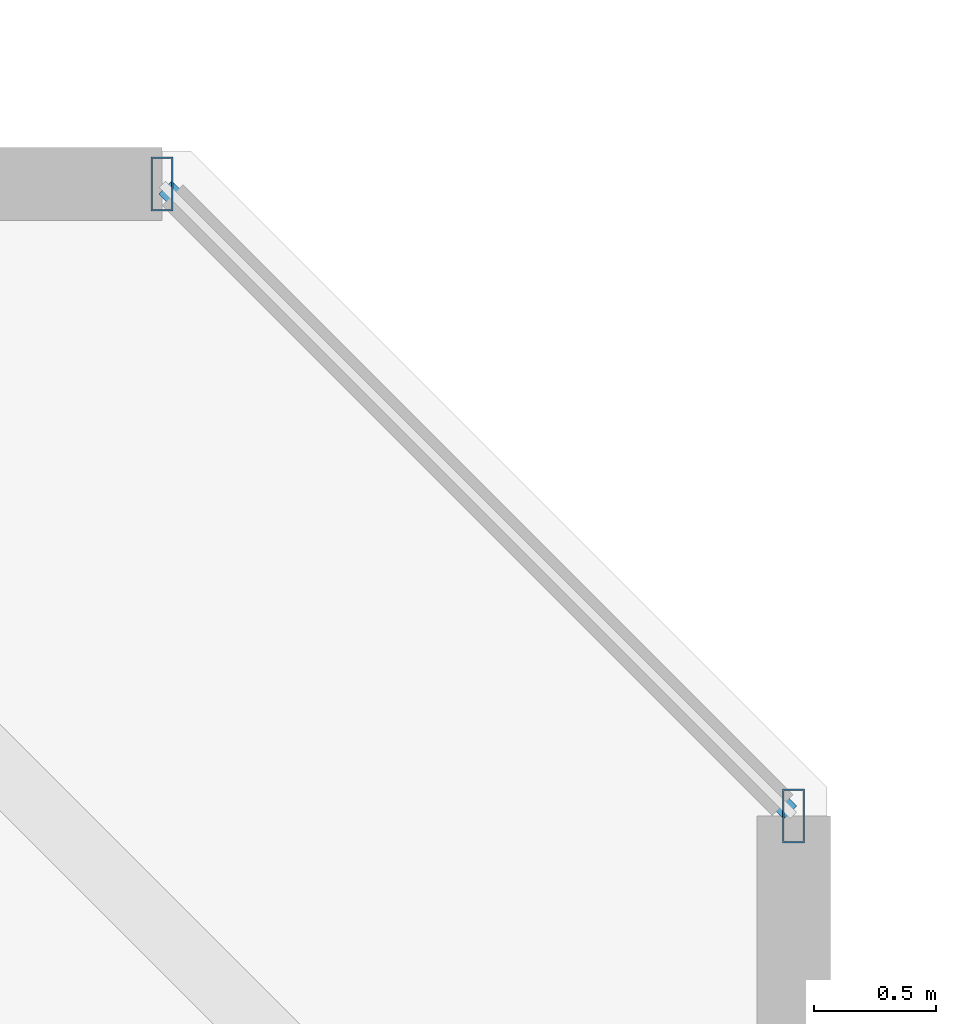
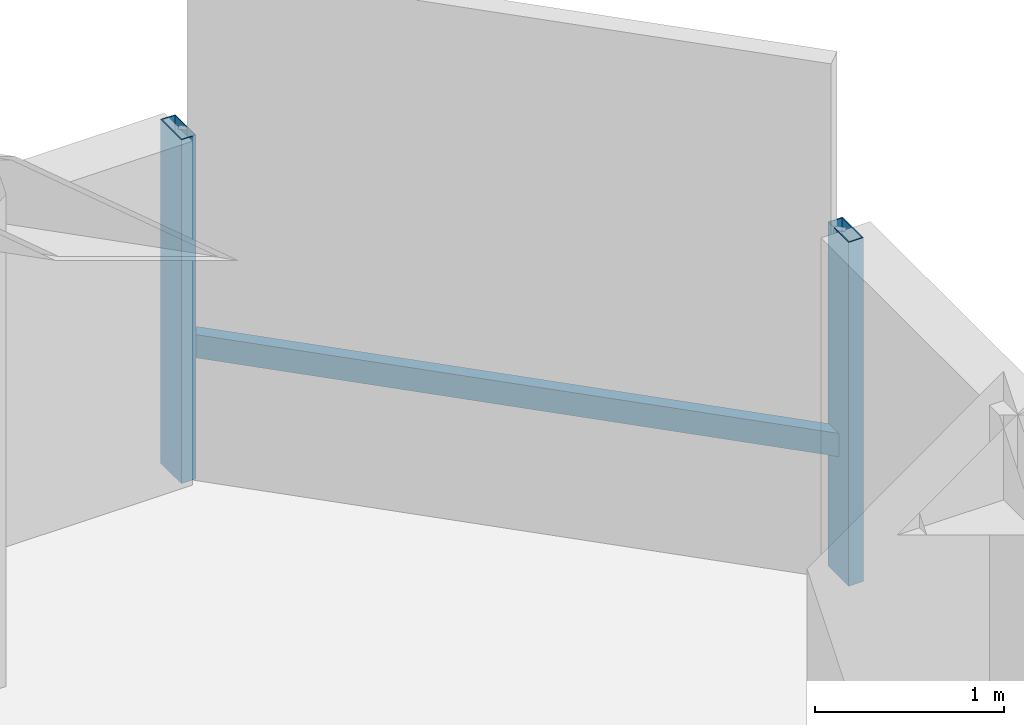
# One storey, part 17 of 36: 3 members, 1 element without a shape of its own.
"""IFC4 building model written with IfcOpenShell, lengths in metres."""

from ifc_helpers import new_model, si_unit, direction, frame, origin, origin_2d, place, context, subcontext, project, spatial, hollow_rectangle, extrude, material, material_profile, profile_set, type_object, element, aggregate, save


model = new_model("IFC4")

# Units and contexts
model_context = context("Model", 3, precision=1e-05, world=origin(), true_north=direction((0.0, 1.0)))
body_context = subcontext(model_context, "Body", "Model", "MODEL_VIEW")
ifc_project = project(units=[si_unit("LENGTHUNIT", "METRE"), si_unit("AREAUNIT", "SQUARE_METRE"), si_unit("VOLUMEUNIT", "CUBIC_METRE"), si_unit("PLANEANGLEUNIT", "RADIAN"), si_unit("MASSUNIT", "GRAM", prefix="KILO")], contexts=[model_context])

# Site, building, storey
site_placement = place(None, origin())
site = spatial("IfcSite", under=ifc_project, at=site_placement, CompositionType="ELEMENT")
building_placement = place(site_placement, origin())
building = spatial("IfcBuilding", under=site, at=building_placement, Name="Thornwick Lancets Civic Towers", CompositionType="ELEMENT")
storey_placement = place(building_placement, frame((0.0, 0.0, 116.10009765625)))
storey = spatial("IfcBuildingStorey", under=building, at=storey_placement, Name="L30", CompositionType="ELEMENT", Elevation=116.10009765625)

# Curtain wall, members
ifc_material_1 = material(Name="Low-zone chamfered-corner unitised glass curtain wall", Category="glass")
curtain_wall_type = type_object("IfcCurtainWallType", Name="CW_SYS_03", PredefinedType="NOTDEFINED", material=ifc_material_1)
curtain_wall_placement = place(storey_placement, origin())
curtain_wall = element("IfcCurtainWall", 1, at=curtain_wall_placement, inside=storey, type_object=curtain_wall_type, Name="L30 Curtain Wall CW-L30-B-E3", PredefinedType="NOTDEFINED")
ifc_material_2 = material(Name="Thermally broken bronze aluminium S355", Category="steel")
ifc_material_profile_1 = material_profile(ifc_material_2, hollow_rectangle(XDim=0.090087890625, YDim=0.219970703125, WallThickness=0.00634765625, at=origin_2d()), Name="RHS 220x90x6.3")
ifc_profile_set_1 = profile_set([ifc_material_profile_1], Name="Thermally broken bronze aluminium S355")
member_type_1 = type_object("IfcMemberType", Name="CW_MUL_220", PredefinedType="MULLION", material=ifc_profile_set_1)
member_1_placement = place(storey_placement, frame((106.464599609375, 42.38134765625, 0.0), z_axis=(0.0, 0.0, 1.0), x_axis=(1.0, 0.0, 0.0)))
member_1 = element("IfcMember", 2, at=member_1_placement, type_object=member_type_1, Name="CW-L30-B-E3 Mullion 0", PredefinedType="MULLION", context=body_context, shape_type="SweptSolid", body=[
    extrude(hollow_rectangle(XDim=0.090087890625, YDim=0.219970703125, WallThickness=0.00634765625, at=origin_2d()), origin(), (0.0, 0.0, 1.0), 2.219970703125),
])
member_2_placement = place(storey_placement, frame((103.88134765625, 44.964599609375, 0.0), z_axis=(0.0, 0.0, 1.0), x_axis=(1.0, 0.0, 0.0)))
member_2 = element("IfcMember", 3, at=member_2_placement, type_object=member_type_1, Name="CW-L30-B-E3 Mullion 1", PredefinedType="MULLION", context=body_context, shape_type="SweptSolid", body=[
    extrude(hollow_rectangle(XDim=0.090087890625, YDim=0.219970703125, WallThickness=0.00634765625, at=origin_2d()), origin(), (0.0, 0.0, 1.0), 2.219970703125),
])
ifc_material_profile_2 = material_profile(ifc_material_2, hollow_rectangle(XDim=0.074951171875, YDim=0.14990234375, WallThickness=0.0048828125, at=origin_2d()), Name="RHS 150x75x5")
ifc_profile_set_2 = profile_set([ifc_material_profile_2], Name="Thermally broken bronze aluminium S355")
member_type_2 = type_object("IfcMemberType", Name="CW_TRN_150", PredefinedType="USERDEFINED", material=ifc_profile_set_2)
member_3_placement = place(storey_placement, frame((106.45068359375, 42.3955078125, 0.849853515625), z_axis=(-0.707106781187, 0.707106781187, 0.0), x_axis=(-0.707106781187, -0.707106781187, 0.0)))
member_3 = element("IfcMember", 4, at=member_3_placement, type_object=member_type_2, Name="CW-L30-B-E3 Transom 0", ObjectType="TRANSOM", PredefinedType="USERDEFINED", context=body_context, shape_type="SweptSolid", body=[
    extrude(hollow_rectangle(XDim=0.074951171875, YDim=0.14990234375, WallThickness=0.0048828125, at=origin_2d()), origin(), (0.0, 0.0, 1.0), 3.613525390625),
])
aggregate(curtain_wall, [member_1, member_2, member_3])

save(model, "model.ifc")
